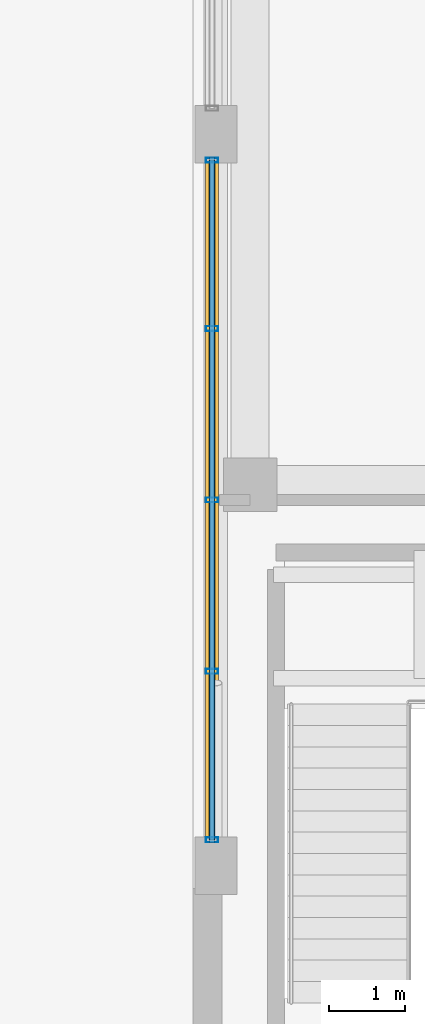
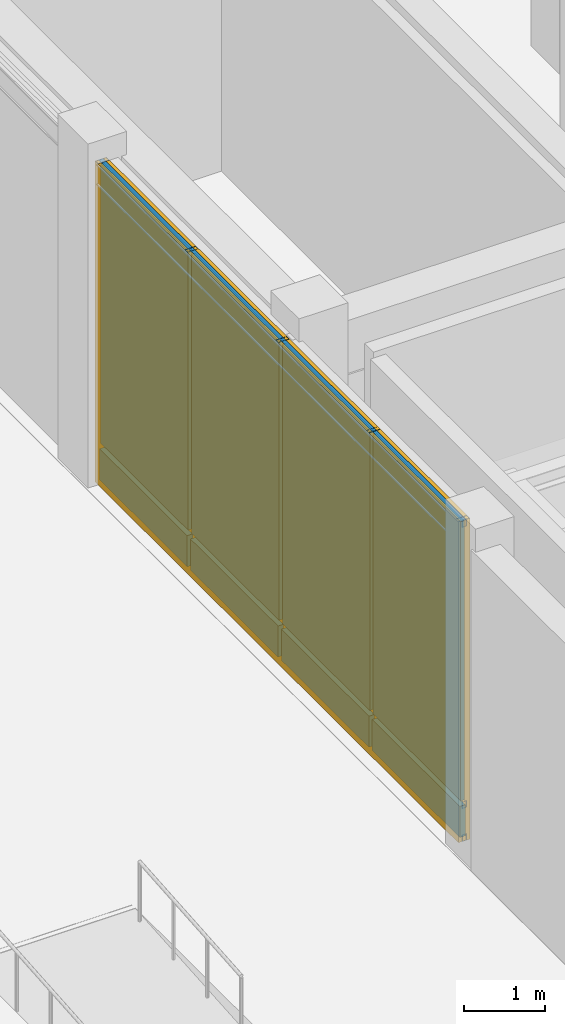
# One storey, part 12 of 24: 8 members, 8 plates, 1 curtain wall.
"""IFC4 building model written with IfcOpenShell, lengths in metres."""

from ifc_helpers import new_model, si_unit, direction, frame, frame_2d, origin, origin_2d, place, context, subcontext, project, spatial, rectangle, hollow_rectangle, extrude, material, layer, layer_set, material_profile, profile_set, type_object, element, aggregate, save


model = new_model("IFC4")

# Units and contexts
model_context = context("Model", 3, precision=1e-05, world=origin(), true_north=direction((0.0, 1.0)))
body_context = subcontext(model_context, "Body", "Model", "MODEL_VIEW")
ifc_project = project(units=[si_unit("LENGTHUNIT", "METRE"), si_unit("AREAUNIT", "SQUARE_METRE"), si_unit("VOLUMEUNIT", "CUBIC_METRE"), si_unit("PLANEANGLEUNIT", "RADIAN"), si_unit("MASSUNIT", "GRAM", prefix="KILO")], contexts=[model_context])

# Member
ifc_material_1 = material(Name="Anodized Aluminium 6063-T6", Category="aluminium")
ifc_material_profile_1 = material_profile(ifc_material_1, hollow_rectangle(XDim=0.06494140625, YDim=0.159912109375, WallThickness=0.00390625, at=origin_2d()), Name="Anodized Aluminium 6063-T6")
ifc_profile_set_1 = profile_set([ifc_material_profile_1], Name="Anodized Aluminium 6063-T6")
member_type_1 = type_object("IfcMemberType", Name="Curtain Wall Mullion 160", PredefinedType="MULLION", material=ifc_profile_set_1)
site_placement = place(None, origin())
building_placement = place(site_placement, origin())
storey_placement = place(building_placement, origin())
member_1_placement = place(storey_placement, frame((85.449951171875, 5.139892578125, 0.0), z_axis=(0.0, 0.0, 1.0), x_axis=(0.0, 1.0, 0.0)))
member_1 = element("IfcMember", 1, at=member_1_placement, type_object=member_type_1, Name="Curtain Wall Mullion CW-L00-LCOL-1-M01", PredefinedType="MULLION", context=body_context, shape_type="SweptSolid", body=[
    extrude(hollow_rectangle(XDim=0.06494140625, YDim=0.159912109375, WallThickness=0.00390625, at=origin_2d()), origin(), (0.0, 0.0, 1.0), 4.85009765625),
])

member_2_placement = place(storey_placement, frame((85.449951171875, 7.35009765625, 0.0), z_axis=(0.0, 0.0, 1.0), x_axis=(0.0, 1.0, 0.0)))
member_2 = element("IfcMember", 2, at=member_2_placement, type_object=member_type_1, Name="Curtain Wall Mullion CW-L00-LCOL-1-M02", PredefinedType="MULLION", context=body_context, shape_type="SweptSolid", body=[
    extrude(hollow_rectangle(XDim=0.06494140625, YDim=0.159912109375, WallThickness=0.00390625, at=origin_2d()), origin(), (0.0, 0.0, 1.0), 4.85009765625),
])

member_3_placement = place(storey_placement, frame((85.449951171875, 9.60009765625, 0.0), z_axis=(0.0, 0.0, 1.0), x_axis=(0.0, 1.0, 0.0)))
member_3 = element("IfcMember", 3, at=member_3_placement, type_object=member_type_1, Name="Curtain Wall Mullion CW-L00-LCOL-1-M03", PredefinedType="MULLION", context=body_context, shape_type="SweptSolid", body=[
    extrude(hollow_rectangle(XDim=0.06494140625, YDim=0.159912109375, WallThickness=0.00390625, at=origin_2d()), origin(), (0.0, 0.0, 1.0), 4.85009765625),
])

member_4_placement = place(storey_placement, frame((85.449951171875, 11.85009765625, 0.0), z_axis=(0.0, 0.0, 1.0), x_axis=(0.0, 1.0, 0.0)))
member_4 = element("IfcMember", 4, at=member_4_placement, type_object=member_type_1, Name="Curtain Wall Mullion CW-L00-LCOL-1-M04", PredefinedType="MULLION", context=body_context, shape_type="SweptSolid", body=[
    extrude(hollow_rectangle(XDim=0.06494140625, YDim=0.159912109375, WallThickness=0.00390625, at=origin_2d()), origin(), (0.0, 0.0, 1.0), 4.85009765625),
])

member_5_placement = place(storey_placement, frame((85.449951171875, 14.06005859375, 0.0), z_axis=(0.0, 0.0, 1.0), x_axis=(0.0, 1.0, 0.0)))
member_5 = element("IfcMember", 5, at=member_5_placement, type_object=member_type_1, Name="Curtain Wall Mullion CW-L00-LCOL-1-M05", PredefinedType="MULLION", context=body_context, shape_type="SweptSolid", body=[
    extrude(hollow_rectangle(XDim=0.06494140625, YDim=0.159912109375, WallThickness=0.00390625, at=origin_2d()), origin(), (0.0, 0.0, 1.0), 4.85009765625),
])

ifc_material_profile_2 = material_profile(ifc_material_1, hollow_rectangle(XDim=0.06005859375, YDim=0.10009765625, WallThickness=0.0029296875, at=origin_2d()), Name="Anodized Aluminium 6063-T6")
ifc_profile_set_2 = profile_set([ifc_material_profile_2], Name="Anodized Aluminium 6063-T6")
member_type_2 = type_object("IfcMemberType", Name="Curtain Wall Transom 100", PredefinedType="USERDEFINED", material=ifc_profile_set_2)
member_6_placement = place(storey_placement, frame((85.449951171875, 5.10009765625, 0.050048828125), z_axis=(0.0, 1.0, 0.0), x_axis=(-1.0, 0.0, 0.0)))
member_6 = element("IfcMember", 6, at=member_6_placement, type_object=member_type_2, Name="Curtain Wall Transom CW-L00-LCOL-1-T01", ObjectType="TRANSOM", PredefinedType="USERDEFINED", context=body_context, shape_type="SweptSolid", body=[
    extrude(hollow_rectangle(XDim=0.06005859375, YDim=0.10009765625, WallThickness=0.0029296875, at=origin_2d()), origin(), (0.0, 0.0, 1.0), 9.0),
])

member_7_placement = place(storey_placement, frame((85.449951171875, 5.10009765625, 0.550048828125), z_axis=(0.0, 1.0, 0.0), x_axis=(-1.0, 0.0, 0.0)))
member_7 = element("IfcMember", 7, at=member_7_placement, type_object=member_type_2, Name="Curtain Wall Transom CW-L00-LCOL-1-T02", ObjectType="TRANSOM", PredefinedType="USERDEFINED", context=body_context, shape_type="SweptSolid", body=[
    extrude(hollow_rectangle(XDim=0.06005859375, YDim=0.10009765625, WallThickness=0.0029296875, at=origin_2d()), origin(), (0.0, 0.0, 1.0), 9.0),
])

member_8_placement = place(storey_placement, frame((85.449951171875, 5.10009765625, 4.800048828125), z_axis=(0.0, 1.0, 0.0), x_axis=(-1.0, 0.0, 0.0)))
member_8 = element("IfcMember", 8, at=member_8_placement, type_object=member_type_2, Name="Curtain Wall Transom CW-L00-LCOL-1-T03", ObjectType="TRANSOM", PredefinedType="USERDEFINED", context=body_context, shape_type="SweptSolid", body=[
    extrude(hollow_rectangle(XDim=0.06005859375, YDim=0.10009765625, WallThickness=0.0029296875, at=origin_2d()), origin(), (0.0, 0.0, 1.0), 9.0),
])

# Plate
ifc_material_2 = material(Name="Bird-Friendly Fritted Triple Glazing", Category="glass")
ifc_layer_1 = layer(ifc_material_2, 0.052001953125, Name="Bird-Friendly Fritted Triple Glazing")
ifc_layer_set_1 = layer_set([ifc_layer_1], Name="Bird-Friendly Fritted Triple Glazing")
plate_type_1 = type_object("IfcPlateType", Name="Plate CWGlazing 52", PredefinedType="CURTAIN_PANEL", material=ifc_layer_set_1)
plate_1_placement = place(storey_placement, frame((85.449951171875, 6.22509765625, 0.58984375), z_axis=(0.0, 0.0, 1.0), x_axis=(0.0, 1.0, 0.0)))
plate_1 = element("IfcPlate", 9, at=plate_1_placement, type_object=plate_type_1, Name="Vision Glazing Panel CW-L00-LCOL-1-GL01", PredefinedType="CURTAIN_PANEL", context=body_context, shape_type="SweptSolid", body=[
    extrude(rectangle(XDim=2.169921875, YDim=0.052001953125, at=origin_2d()), origin(), (0.0, 0.0, 1.0), 4.219970703125),
])

plate_2_placement = place(storey_placement, frame((85.449951171875, 8.47509765625, 0.58984375), z_axis=(0.0, 0.0, 1.0), x_axis=(0.0, 1.0, 0.0)))
plate_2 = element("IfcPlate", 10, at=plate_2_placement, type_object=plate_type_1, Name="Vision Glazing Panel CW-L00-LCOL-1-GL02", PredefinedType="CURTAIN_PANEL", context=body_context, shape_type="SweptSolid", body=[
    extrude(rectangle(XDim=2.169921875, YDim=0.052001953125, at=origin_2d()), origin(), (0.0, 0.0, 1.0), 4.219970703125),
])

plate_3_placement = place(storey_placement, frame((85.449951171875, 10.72509765625, 0.58984375), z_axis=(0.0, 0.0, 1.0), x_axis=(0.0, 1.0, 0.0)))
plate_3 = element("IfcPlate", 11, at=plate_3_placement, type_object=plate_type_1, Name="Vision Glazing Panel CW-L00-LCOL-1-GL03", PredefinedType="CURTAIN_PANEL", context=body_context, shape_type="SweptSolid", body=[
    extrude(rectangle(XDim=2.169921875, YDim=0.052001953125, at=origin_2d()), origin(), (0.0, 0.0, 1.0), 4.219970703125),
])

plate_4_placement = place(storey_placement, frame((85.449951171875, 12.97509765625, 0.58984375), z_axis=(0.0, 0.0, 1.0), x_axis=(0.0, 1.0, 0.0)))
plate_4 = element("IfcPlate", 12, at=plate_4_placement, type_object=plate_type_1, Name="Vision Glazing Panel CW-L00-LCOL-1-GL04", PredefinedType="CURTAIN_PANEL", context=body_context, shape_type="SweptSolid", body=[
    extrude(rectangle(XDim=2.169921875, YDim=0.052001953125, at=origin_2d()), origin(), (0.0, 0.0, 1.0), 4.219970703125),
])

ifc_material_3 = material(Name="Insulated Aluminium Spandrel Panel", Category="aluminium")
ifc_layer_2 = layer(ifc_material_3, 0.080078125, Name="Insulated Aluminium Spandrel Panel")
ifc_layer_set_2 = layer_set([ifc_layer_2], Name="Insulated Aluminium Spandrel Panel")
plate_type_2 = type_object("IfcPlateType", Name="Plate CWSpandrel 80", PredefinedType="SHEET", material=ifc_layer_set_2)
plate_5_placement = place(storey_placement, frame((85.449951171875, 6.22509765625, 0.0400390625), z_axis=(0.0, 0.0, 1.0), x_axis=(0.0, 1.0, 0.0)))
plate_5 = element("IfcPlate", 13, at=plate_5_placement, type_object=plate_type_2, Name="Spandrel Panel CW-L00-LCOL-1-SP01", PredefinedType="SHEET", context=body_context, shape_type="SweptSolid", body=[
    extrude(rectangle(XDim=2.169921875, YDim=0.080078125, at=origin_2d()), origin(), (0.0, 0.0, 1.0), 0.469970703125),
])

plate_6_placement = place(storey_placement, frame((85.449951171875, 8.47509765625, 0.0400390625), z_axis=(0.0, 0.0, 1.0), x_axis=(0.0, 1.0, 0.0)))
plate_6 = element("IfcPlate", 14, at=plate_6_placement, type_object=plate_type_2, Name="Spandrel Panel CW-L00-LCOL-1-SP02", PredefinedType="SHEET", context=body_context, shape_type="SweptSolid", body=[
    extrude(rectangle(XDim=2.169921875, YDim=0.080078125, at=origin_2d()), origin(), (0.0, 0.0, 1.0), 0.469970703125),
])

plate_7_placement = place(storey_placement, frame((85.449951171875, 10.72509765625, 0.0400390625), z_axis=(0.0, 0.0, 1.0), x_axis=(0.0, 1.0, 0.0)))
plate_7 = element("IfcPlate", 15, at=plate_7_placement, type_object=plate_type_2, Name="Spandrel Panel CW-L00-LCOL-1-SP03", PredefinedType="SHEET", context=body_context, shape_type="SweptSolid", body=[
    extrude(rectangle(XDim=2.169921875, YDim=0.080078125, at=origin_2d()), origin(), (0.0, 0.0, 1.0), 0.469970703125),
])

plate_8_placement = place(storey_placement, frame((85.449951171875, 12.97509765625, 0.0400390625), z_axis=(0.0, 0.0, 1.0), x_axis=(0.0, 1.0, 0.0)))
plate_8 = element("IfcPlate", 16, at=plate_8_placement, type_object=plate_type_2, Name="Spandrel Panel CW-L00-LCOL-1-SP04", PredefinedType="SHEET", context=body_context, shape_type="SweptSolid", body=[
    extrude(rectangle(XDim=2.169921875, YDim=0.080078125, at=origin_2d()), origin(), (0.0, 0.0, 1.0), 0.469970703125),
])

# Site, building, storey
site = spatial("IfcSite", under=ifc_project, at=site_placement, CompositionType="ELEMENT")
building = spatial("IfcBuilding", under=site, at=building_placement, Name="Norrvale University Quadrangle", CompositionType="ELEMENT")
storey = spatial("IfcBuildingStorey", under=building, at=storey_placement, Name="L00", CompositionType="ELEMENT", Elevation=0.0)

# Curtain wall
ifc_material_4 = material(Name="Anodized Aluminium and Triple Glazing", Category="glass")
curtain_wall_type = type_object("IfcCurtainWallType", Name="Curtain Wall System 5 Lib Colonnade", PredefinedType="NOTDEFINED", material=ifc_material_4)
curtain_wall_placement = place(storey_placement, frame((85.449951171875, 5.10009765625, 0.0), z_axis=(0.0, 0.0, 1.0), x_axis=(0.0, 1.0, 0.0)))
curtain_wall = element("IfcCurtainWall", 17, at=curtain_wall_placement, inside=storey, type_object=curtain_wall_type, Name="Curtain Wall CW System 5 Lib Colonnade CW-L00-LCOL-1", PredefinedType="NOTDEFINED", context=body_context, shape_type="SweptSolid", body=[
    extrude(rectangle(XDim=9.0, YDim=0.1650390625, at=frame_2d((4.5, 0.0))), origin(), (0.0, 0.0, 1.0), 4.85009765625),
])

aggregate(curtain_wall, [member_1, member_2, member_3, member_4, member_5, member_6, member_7, member_8, plate_5, plate_1, plate_6, plate_2, plate_7, plate_3, plate_8, plate_4])

save(model, "model.ifc")
